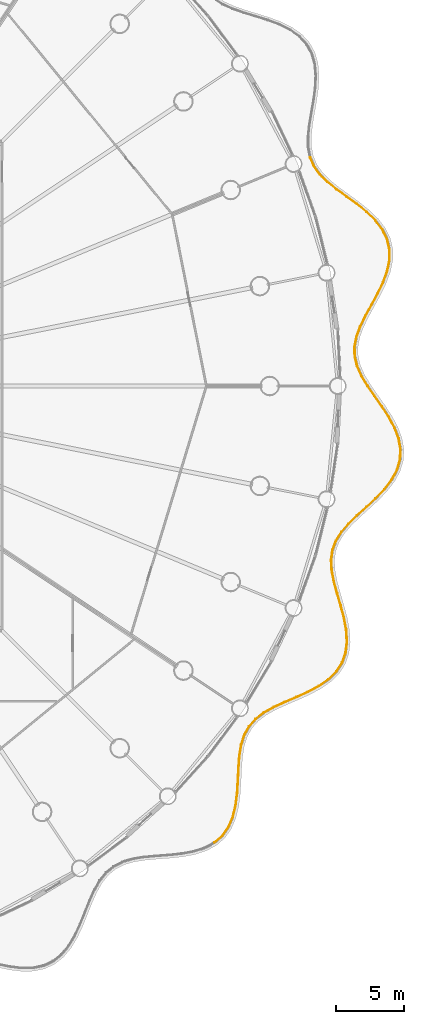
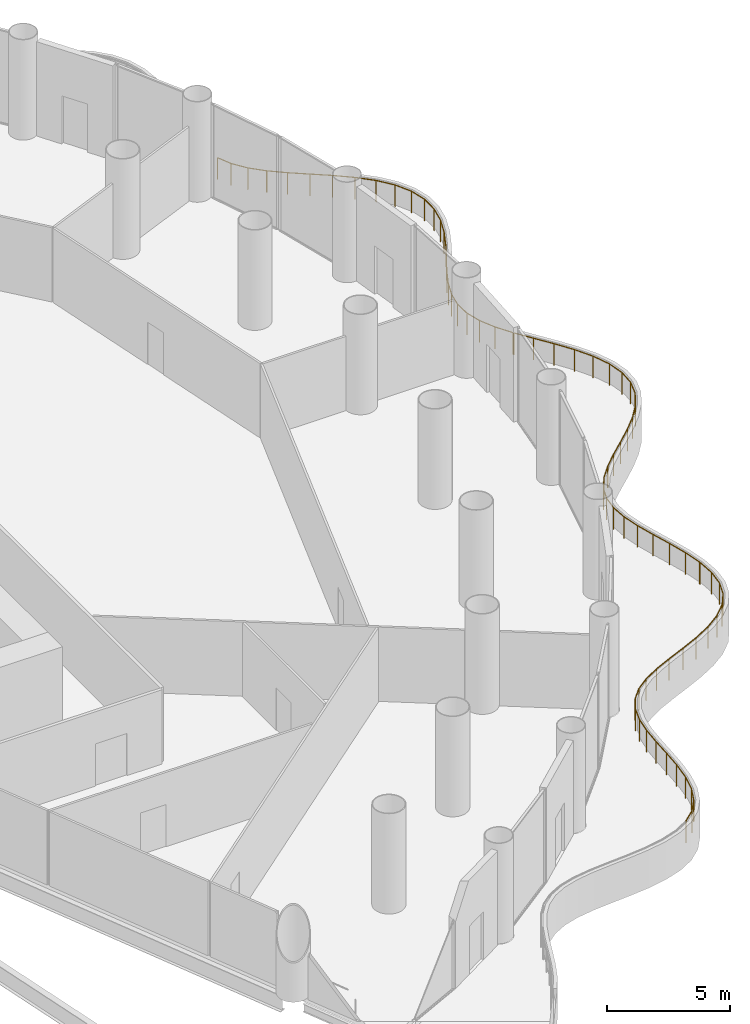
# One storey, part 34 of 36: 3 railings.
"""IFC4 building model written with IfcOpenShell, lengths in metres."""

from ifc_helpers import new_model, si_unit, direction, frame, origin, origin_2d, place, context, subcontext, project, spatial, circle, extrude, material, type_object, element, save


model = new_model("IFC4")

# Units and contexts
model_context = context("Model", 3, precision=1e-05, world=origin(), true_north=direction((0.0, 1.0)))
body_context = subcontext(model_context, "Body", "Model", "MODEL_VIEW")
ifc_project = project(units=[si_unit("LENGTHUNIT", "METRE"), si_unit("AREAUNIT", "SQUARE_METRE"), si_unit("VOLUMEUNIT", "CUBIC_METRE"), si_unit("PLANEANGLEUNIT", "RADIAN"), si_unit("MASSUNIT", "GRAM", prefix="KILO")], contexts=[model_context])

# Site, building, storey
site_placement = place(None, origin())
site = spatial("IfcSite", under=ifc_project, at=site_placement, CompositionType="ELEMENT")
building_placement = place(site_placement, origin())
building = spatial("IfcBuilding", under=site, at=building_placement, Name="Corvane Civic Tower", CompositionType="ELEMENT")
storey_placement = place(building_placement, frame((0.0, 0.0, 17.0)))
storey = spatial("IfcBuildingStorey", under=building, at=storey_placement, Name="L03", CompositionType="ELEMENT", Elevation=17.0)

# Railings
ifc_material = material(Name="Steel ASTM A572 Gr 50", Category="steel")
railing_type = type_object("IfcRailingType", Name="PODIUM-RL-GUARD-1100", PredefinedType="GUARDRAIL", material=ifc_material)
railing_1_placement = place(storey_placement, frame((33.640869140625, -33.605712890625, 0.0)))
element("IfcRailing", 1, at=railing_1_placement, inside=storey, type_object=railing_type, Name="L03 ribbon guard 11", PredefinedType="GUARDRAIL", context=body_context, shape_type="SweptSolid", body=[
    extrude(circle(Radius=0.02392578125, at=origin_2d()), frame((0.0, 0.0, 1.076171875), z_axis=(0.753136596258, 0.657864170917, 0.0), x_axis=(-0.657864170917, 0.753136596258, 0.0)), (0.0, 0.0, 1.0), 0.755859375),
    extrude(circle(Radius=0.02392578125, at=origin_2d()), frame((0.5693359375, 0.497314453125, 1.076171875), z_axis=(0.578060431514, 0.81599395679, 0.0), x_axis=(-0.81599395679, 0.578060431514, 0.0)), (0.0, 0.0, 1.0), 0.785888671875),
    extrude(circle(Radius=0.02392578125, at=origin_2d()), frame((1.023681640625, 1.138671875, 1.076171875), z_axis=(0.392843922588, 0.919605161189, 0.0), x_axis=(-0.919605161189, 0.392843922588, 0.0)), (0.0, 0.0, 1.0), 0.822265625),
    extrude(circle(Radius=0.02392578125, at=origin_2d()), frame((1.3466796875, 1.894775390625, 1.076171875), z_axis=(0.236401609899, 0.971655432155, 0.0), x_axis=(-0.971655432155, 0.236401609899, 0.0)), (0.0, 0.0, 1.0), 0.87158203125),
    extrude(circle(Radius=0.02392578125, at=origin_2d()), frame((1.552734375, 2.74169921875, 1.076171875), z_axis=(0.125480400007, 0.99209609878, 0.0), x_axis=(-0.99209609878, 0.125480400007, 0.0)), (0.0, 0.0, 1.0), 0.91455078125),
    extrude(circle(Radius=0.02392578125, at=origin_2d()), frame((1.66748046875, 3.64892578125, 1.076171875), z_axis=(0.061662540567, 0.998097054945, 0.0), x_axis=(-0.998097054945, 0.061662540567, 0.0)), (0.0, 0.0, 1.0), 0.934326171875),
    extrude(circle(Radius=0.02392578125, at=origin_2d()), frame((1.72509765625, 4.58154296875, 1.076171875), z_axis=(0.044928131662, 0.998990221667, 0.0), x_axis=(-0.998990221667, 0.044928131662, 0.0)), (0.0, 0.0, 1.0), 0.923828125),
    extrude(circle(Radius=0.02392578125, at=origin_2d()), frame((1.7666015625, 5.50439453125, 1.076171875), z_axis=(0.07542872719, 0.997151195714, 0.0), x_axis=(-0.997151195714, 0.07542872719, 0.0)), (0.0, 0.0, 1.0), 0.883544921875),
    extrude(circle(Radius=0.02392578125, at=origin_2d()), frame((1.833251953125, 6.385498046875, 1.076171875), z_axis=(0.160359970746, 0.987058599974, 0.0), x_axis=(-0.987058599974, 0.160359970746, 0.0)), (0.0, 0.0, 1.0), 0.82373046875),
    extrude(circle(Radius=0.02392578125, at=origin_2d()), frame((1.96533203125, 7.198486328125, 1.076171875), z_axis=(0.30178990041, 0.953374457394, 0.0), x_axis=(-0.953374457394, 0.30178990041, 0.0)), (0.0, 0.0, 1.0), 0.762939453125),
    extrude(circle(Radius=0.02392578125, at=origin_2d()), frame((2.195556640625, 7.92578125, 1.076171875), z_axis=(0.485328341543, 0.874331974078, 0.0), x_axis=(-0.874331974078, 0.485328341543, 0.0)), (0.0, 0.0, 1.0), 0.724853515625),
    extrude(circle(Radius=0.02392578125, at=origin_2d()), frame((2.54736328125, 8.5595703125, 1.076171875), z_axis=(0.66584226346, 0.746092541305, 0.0), x_axis=(-0.746092541305, 0.66584226346, 0.0)), (0.0, 0.0, 1.0), 0.72705078125),
    extrude(circle(Radius=0.02392578125, at=origin_2d()), frame((3.031494140625, 9.10205078125, 1.076171875), z_axis=(0.79812863736, 0.602487077227, 0.0), x_axis=(-0.602487077227, 0.79812863736, 0.0)), (0.0, 0.0, 1.0), 0.768798828125),
    extrude(circle(Radius=0.02392578125, at=origin_2d()), frame((3.64501953125, 9.565185546875, 1.076171875), z_axis=(0.874115666585, 0.485717820787, 0.0), x_axis=(-0.485717820787, 0.874115666585, 0.0)), (0.0, 0.0, 1.0), 0.830322265625),
    extrude(circle(Radius=0.02392578125, at=origin_2d()), frame((4.370849609375, 9.968505859375, 1.076171875), z_axis=(0.909688003863, 0.41529234959, 0.0), x_axis=(-0.41529234959, 0.909688003863, 0.0)), (0.0, 0.0, 1.0), 0.888916015625),
    extrude(circle(Radius=0.02392578125, at=origin_2d()), frame((5.179443359375, 10.337646484375, 1.076171875), z_axis=(0.920015181369, 0.391882719764, 0.0), x_axis=(-0.391882719764, 0.920015181369, 0.0)), (0.0, 0.0, 1.0), 0.926513671875),
    extrude(circle(Radius=0.02392578125, at=origin_2d()), frame((6.03173828125, 10.70068359375, 1.076171875), z_axis=(0.911161682007, 0.412049013155, 0.0), x_axis=(-0.412049013155, 0.911161682007, 0.0)), (0.0, 0.0, 1.0), 0.933837890625),
    extrude(circle(Radius=0.02392578125, at=origin_2d()), frame((6.882568359375, 11.08544921875, 1.076171875), z_axis=(0.88067761825, 0.473716088721, 0.0), x_axis=(-0.473716088721, 0.88067761825, 0.0)), (0.0, 0.0, 1.0), 0.91064453125),
    extrude(circle(Radius=0.02392578125, at=origin_2d()), frame((7.6845703125, 11.516845703125, 1.076171875), z_axis=(0.818635721865, 0.574313115718, 0.0), x_axis=(-0.574313115718, 0.818635721865, 0.0)), (0.0, 0.0, 1.0), 0.866455078125),
    extrude(circle(Radius=0.02392578125, at=origin_2d()), frame((8.393798828125, 12.014404296875, 1.076171875), z_axis=(0.709343264461, 0.704863201738, 0.0), x_axis=(-0.704863201738, 0.709343264461, 0.0)), (0.0, 0.0, 1.0), 0.8173828125),
    extrude(circle(Radius=0.02392578125, at=origin_2d()), frame((8.9736328125, 12.590576171875, 1.076171875), z_axis=(0.541119467015, 0.840945730959, 0.0), x_axis=(-0.840945730959, 0.541119467015, 0.0)), (0.0, 0.0, 1.0), 0.7841796875),
    extrude(circle(Radius=0.02392578125, at=origin_2d()), frame((9.39794921875, 13.25, 1.076171875), z_axis=(0.328375339933, 0.944547318097, 0.0), x_axis=(-0.944547318097, 0.328375339933, 0.0)), (0.0, 0.0, 1.0), 0.7822265625),
    extrude(circle(Radius=0.02392578125, at=origin_2d()), frame((9.65478515625, 13.98876953125, 1.076171875), z_axis=(0.114156592688, 0.993462768475, 0.0), x_axis=(-0.993462768475, 0.114156592688, 0.0)), (0.0, 0.0, 1.0), 0.812744140625),
    extrude(circle(Radius=0.02392578125, at=origin_2d()), frame((9.74755859375, 14.796142578125, 1.076171875), z_axis=(-0.061887576155, 0.998083126757, 0.0), x_axis=(-0.998083126757, -0.061887576155, 0.0)), (0.0, 0.0, 1.0), 0.83642578125),
    extrude(circle(Radius=0.02099609375, at=origin_2d()), origin(), (0.0, 0.0, 1.0), 1.052001953125),
    extrude(circle(Radius=0.02099609375, at=origin_2d()), frame((0.5693359375, 0.497314453125, 0.0)), (0.0, 0.0, 1.0), 1.052001953125),
    extrude(circle(Radius=0.02099609375, at=origin_2d()), frame((1.023681640625, 1.138671875, 0.0)), (0.0, 0.0, 1.0), 1.052001953125),
    extrude(circle(Radius=0.02099609375, at=origin_2d()), frame((1.3466796875, 1.894775390625, 0.0)), (0.0, 0.0, 1.0), 1.052001953125),
    extrude(circle(Radius=0.02099609375, at=origin_2d()), frame((1.552734375, 2.74169921875, 0.0)), (0.0, 0.0, 1.0), 1.052001953125),
    extrude(circle(Radius=0.02099609375, at=origin_2d()), frame((1.66748046875, 3.64892578125, 0.0)), (0.0, 0.0, 1.0), 1.052001953125),
    extrude(circle(Radius=0.02099609375, at=origin_2d()), frame((1.72509765625, 4.58154296875, 0.0)), (0.0, 0.0, 1.0), 1.052001953125),
    extrude(circle(Radius=0.02099609375, at=origin_2d()), frame((1.7666015625, 5.50439453125, 0.0)), (0.0, 0.0, 1.0), 1.052001953125),
    extrude(circle(Radius=0.02099609375, at=origin_2d()), frame((1.833251953125, 6.385498046875, 0.0)), (0.0, 0.0, 1.0), 1.052001953125),
    extrude(circle(Radius=0.02099609375, at=origin_2d()), frame((1.96533203125, 7.198486328125, 0.0)), (0.0, 0.0, 1.0), 1.052001953125),
    extrude(circle(Radius=0.02099609375, at=origin_2d()), frame((2.195556640625, 7.92578125, 0.0)), (0.0, 0.0, 1.0), 1.052001953125),
    extrude(circle(Radius=0.02099609375, at=origin_2d()), frame((2.54736328125, 8.5595703125, 0.0)), (0.0, 0.0, 1.0), 1.052001953125),
    extrude(circle(Radius=0.02099609375, at=origin_2d()), frame((3.031494140625, 9.10205078125, 0.0)), (0.0, 0.0, 1.0), 1.052001953125),
    extrude(circle(Radius=0.02099609375, at=origin_2d()), frame((3.64501953125, 9.565185546875, 0.0)), (0.0, 0.0, 1.0), 1.052001953125),
    extrude(circle(Radius=0.02099609375, at=origin_2d()), frame((4.370849609375, 9.968505859375, 0.0)), (0.0, 0.0, 1.0), 1.052001953125),
    extrude(circle(Radius=0.02099609375, at=origin_2d()), frame((5.179443359375, 10.337646484375, 0.0)), (0.0, 0.0, 1.0), 1.052001953125),
    extrude(circle(Radius=0.02099609375, at=origin_2d()), frame((6.03173828125, 10.70068359375, 0.0)), (0.0, 0.0, 1.0), 1.052001953125),
    extrude(circle(Radius=0.02099609375, at=origin_2d()), frame((6.882568359375, 11.08544921875, 0.0)), (0.0, 0.0, 1.0), 1.052001953125),
    extrude(circle(Radius=0.02099609375, at=origin_2d()), frame((7.6845703125, 11.516845703125, 0.0)), (0.0, 0.0, 1.0), 1.052001953125),
    extrude(circle(Radius=0.02099609375, at=origin_2d()), frame((8.393798828125, 12.014404296875, 0.0)), (0.0, 0.0, 1.0), 1.052001953125),
    extrude(circle(Radius=0.02099609375, at=origin_2d()), frame((8.9736328125, 12.590576171875, 0.0)), (0.0, 0.0, 1.0), 1.052001953125),
    extrude(circle(Radius=0.02099609375, at=origin_2d()), frame((9.39794921875, 13.25, 0.0)), (0.0, 0.0, 1.0), 1.052001953125),
    extrude(circle(Radius=0.02099609375, at=origin_2d()), frame((9.65478515625, 13.98876953125, 0.0)), (0.0, 0.0, 1.0), 1.052001953125),
    extrude(circle(Radius=0.02099609375, at=origin_2d()), frame((9.74755859375, 14.796142578125, 0.0)), (0.0, 0.0, 1.0), 1.052001953125),
    extrude(circle(Radius=0.02099609375, at=origin_2d()), frame((9.69580078125, 15.630859375, 0.0)), (0.0, 0.0, 1.0), 1.052001953125),
])
railing_2_placement = place(storey_placement, frame((43.33056640625, -17.92529296875, 0.0)))
element("IfcRailing", 2, at=railing_2_placement, inside=storey, type_object=railing_type, Name="L03 ribbon guard 12", PredefinedType="GUARDRAIL", context=body_context, shape_type="SweptSolid", body=[
    extrude(circle(Radius=0.02392578125, at=origin_2d()), frame((0.0, 0.0, 1.076171875), z_axis=(-0.184439018576, 0.982843959348, 0.0), x_axis=(-0.982843959348, -0.184439018576, 0.0)), (0.0, 0.0, 1.0), 0.881591796875),
    extrude(circle(Radius=0.02392578125, at=origin_2d()), frame((-0.16259765625, 0.866455078125, 1.076171875), z_axis=(-0.256245058711, 0.966611850686, 0.0), x_axis=(-0.966611850686, -0.256245058711, 0.0)), (0.0, 0.0, 1.0), 0.932861328125),
    extrude(circle(Radius=0.02392578125, at=origin_2d()), frame((-0.401611328125, 1.76806640625, 1.076171875), z_axis=(-0.282351351328, 0.959311062379, 0.0), x_axis=(-0.959311062379, -0.282351351328, 0.0)), (0.0, 0.0, 1.0), 0.9287109375),
    extrude(circle(Radius=0.02392578125, at=origin_2d()), frame((-0.663818359375, 2.658935546875, 1.076171875), z_axis=(-0.262724536639, 0.964870881439, 0.0), x_axis=(-0.964870881439, -0.262724536639, 0.0)), (0.0, 0.0, 1.0), 0.89404296875),
    extrude(circle(Radius=0.02392578125, at=origin_2d()), frame((-0.898681640625, 3.521484375, 1.076171875), z_axis=(-0.191291109817, 0.981533347016, 0.0), x_axis=(-0.981533347016, -0.191291109817, 0.0)), (0.0, 0.0, 1.0), 0.837158203125),
    extrude(circle(Radius=0.02392578125, at=origin_2d()), frame((-1.058837890625, 4.34326171875, 1.076171875), z_axis=(-0.059886009549, 0.998205222317, 0.0), x_axis=(-0.998205222317, -0.059886009549, 0.0)), (0.0, 0.0, 1.0), 0.774658203125),
    extrude(circle(Radius=0.02392578125, at=origin_2d()), frame((-1.105224609375, 5.116455078125, 1.076171875), z_axis=(0.130125684943, 0.991497506864, 0.0), x_axis=(-0.991497506864, 0.130125684943, 0.0)), (0.0, 0.0, 1.0), 0.729736328125),
    extrude(circle(Radius=0.02392578125, at=origin_2d()), frame((-1.01025390625, 5.840087890625, 1.076171875), z_axis=(0.344750673314, 0.938694291689, 0.0), x_axis=(-0.938694291689, 0.344750673314, 0.0)), (0.0, 0.0, 1.0), 0.72314453125),
    extrude(circle(Radius=0.02392578125, at=origin_2d()), frame((-0.760986328125, 6.518798828125, 1.076171875), z_axis=(0.528317378365, 0.849046964377, 0.0), x_axis=(-0.849046964377, 0.528317378365, 0.0)), (0.0, 0.0, 1.0), 0.75732421875),
    extrude(circle(Radius=0.02392578125, at=origin_2d()), frame((-0.36083984375, 7.161865234375, 1.076171875), z_axis=(0.650619072476, 0.759404255012, 0.0), x_axis=(-0.759404255012, 0.650619072476, 0.0)), (0.0, 0.0, 1.0), 0.81689453125),
    extrude(circle(Radius=0.02392578125, at=origin_2d()), frame((0.170654296875, 7.7822265625, 1.076171875), z_axis=(0.717184070385, 0.696883784562, 0.0), x_axis=(-0.696883784562, 0.717184070385, 0.0)), (0.0, 0.0, 1.0), 0.8779296875),
    extrude(circle(Radius=0.02392578125, at=origin_2d()), frame((0.80029296875, 8.39404296875, 1.076171875), z_axis=(0.742119659929, 0.670267417042, 0.0), x_axis=(-0.670267417042, 0.742119659929, 0.0)), (0.0, 0.0, 1.0), 0.9208984375),
    extrude(circle(Radius=0.02392578125, at=origin_2d()), frame((1.483642578125, 9.01123046875, 1.076171875), z_axis=(0.733871572255, 0.679288241792, 0.0), x_axis=(-0.679288241792, 0.733871572255, 0.0)), (0.0, 0.0, 1.0), 0.934814453125),
    extrude(circle(Radius=0.02392578125, at=origin_2d()), frame((2.169677734375, 9.646240234375, 1.076171875), z_axis=(0.69273115496, 0.7211959144, 0.0), x_axis=(-0.7211959144, 0.69273115496, 0.0)), (0.0, 0.0, 1.0), 0.917724609375),
    extrude(circle(Radius=0.02392578125, at=origin_2d()), frame((2.805419921875, 10.30810546875, 1.076171875), z_axis=(0.611122571136, 0.791535977103, 0.0), x_axis=(-0.791535977103, 0.611122571136, 0.0)), (0.0, 0.0, 1.0), 0.876953125),
    extrude(circle(Radius=0.02392578125, at=origin_2d()), frame((3.34130859375, 11.002197265625, 1.076171875), z_axis=(0.477652034744, 0.878549107168, 0.0), x_axis=(-0.878549107168, 0.477652034744, 0.0)), (0.0, 0.0, 1.0), 0.826904296875),
    extrude(circle(Radius=0.02392578125, at=origin_2d()), frame((3.736328125, 11.728759765625, 1.076171875), z_axis=(0.285331434771, 0.958428908335, 0.0), x_axis=(-0.958428908335, 0.285331434771, 0.0)), (0.0, 0.0, 1.0), 0.788818359375),
    extrude(circle(Radius=0.02392578125, at=origin_2d()), frame((3.96142578125, 12.48486328125, 1.076171875), z_axis=(0.053857123903, 0.998548651897, 0.0), x_axis=(-0.998548651897, 0.053857123903, 0.0)), (0.0, 0.0, 1.0), 0.77978515625),
    extrude(circle(Radius=0.02392578125, at=origin_2d()), frame((4.00341796875, 13.263427734375, 1.076171875), z_axis=(-0.17217408361, 0.985066538328, 0.0), x_axis=(-0.985066538328, -0.17217408361, 0.0)), (0.0, 0.0, 1.0), 0.803955078125),
    extrude(circle(Radius=0.02392578125, at=origin_2d()), frame((3.864990234375, 14.055419921875, 1.076171875), z_axis=(-0.351909725768, 0.936033944315, 0.0), x_axis=(-0.936033944315, -0.351909725768, 0.0)), (0.0, 0.0, 1.0), 0.8505859375),
    extrude(circle(Radius=0.02392578125, at=origin_2d()), frame((3.565673828125, 14.8515625, 1.076171875), z_axis=(-0.47450492985, 0.880252845237, 0.0), x_axis=(-0.880252845237, -0.47450492985, 0.0)), (0.0, 0.0, 1.0), 0.8984375),
    extrude(circle(Radius=0.02392578125, at=origin_2d()), frame((3.139404296875, 15.642333984375, 1.076171875), z_axis=(-0.546612268457, 0.837385829813, 0.0), x_axis=(-0.837385829813, -0.546612268457, 0.0)), (0.0, 0.0, 1.0), 0.929443359375),
    extrude(circle(Radius=0.02392578125, at=origin_2d()), frame((2.63134765625, 16.420654296875, 1.076171875), z_axis=(-0.57721775227, 0.816590268411, 0.0), x_axis=(-0.816590268411, -0.57721775227, 0.0)), (0.0, 0.0, 1.0), 0.93212890625),
    extrude(circle(Radius=0.02392578125, at=origin_2d()), frame((2.09326171875, 17.181884765625, 1.076171875), z_axis=(-0.568660915, 0.822572041678, 0.0), x_axis=(-0.822572041678, -0.568660915, 0.0)), (0.0, 0.0, 1.0), 0.87890625),
    extrude(circle(Radius=0.02099609375, at=origin_2d()), origin(), (0.0, 0.0, 1.0), 1.052001953125),
    extrude(circle(Radius=0.02099609375, at=origin_2d()), frame((-0.16259765625, 0.866455078125, 0.0)), (0.0, 0.0, 1.0), 1.052001953125),
    extrude(circle(Radius=0.02099609375, at=origin_2d()), frame((-0.401611328125, 1.76806640625, 0.0)), (0.0, 0.0, 1.0), 1.052001953125),
    extrude(circle(Radius=0.02099609375, at=origin_2d()), frame((-0.663818359375, 2.658935546875, 0.0)), (0.0, 0.0, 1.0), 1.052001953125),
    extrude(circle(Radius=0.02099609375, at=origin_2d()), frame((-0.898681640625, 3.521484375, 0.0)), (0.0, 0.0, 1.0), 1.052001953125),
    extrude(circle(Radius=0.02099609375, at=origin_2d()), frame((-1.058837890625, 4.34326171875, 0.0)), (0.0, 0.0, 1.0), 1.052001953125),
    extrude(circle(Radius=0.02099609375, at=origin_2d()), frame((-1.105224609375, 5.116455078125, 0.0)), (0.0, 0.0, 1.0), 1.052001953125),
    extrude(circle(Radius=0.02099609375, at=origin_2d()), frame((-1.01025390625, 5.840087890625, 0.0)), (0.0, 0.0, 1.0), 1.052001953125),
    extrude(circle(Radius=0.02099609375, at=origin_2d()), frame((-0.760986328125, 6.518798828125, 0.0)), (0.0, 0.0, 1.0), 1.052001953125),
    extrude(circle(Radius=0.02099609375, at=origin_2d()), frame((-0.36083984375, 7.161865234375, 0.0)), (0.0, 0.0, 1.0), 1.052001953125),
    extrude(circle(Radius=0.02099609375, at=origin_2d()), frame((0.170654296875, 7.7822265625, 0.0)), (0.0, 0.0, 1.0), 1.052001953125),
    extrude(circle(Radius=0.02099609375, at=origin_2d()), frame((0.80029296875, 8.39404296875, 0.0)), (0.0, 0.0, 1.0), 1.052001953125),
    extrude(circle(Radius=0.02099609375, at=origin_2d()), frame((1.483642578125, 9.01123046875, 0.0)), (0.0, 0.0, 1.0), 1.052001953125),
    extrude(circle(Radius=0.02099609375, at=origin_2d()), frame((2.169677734375, 9.646240234375, 0.0)), (0.0, 0.0, 1.0), 1.052001953125),
    extrude(circle(Radius=0.02099609375, at=origin_2d()), frame((2.805419921875, 10.30810546875, 0.0)), (0.0, 0.0, 1.0), 1.052001953125),
    extrude(circle(Radius=0.02099609375, at=origin_2d()), frame((3.34130859375, 11.002197265625, 0.0)), (0.0, 0.0, 1.0), 1.052001953125),
    extrude(circle(Radius=0.02099609375, at=origin_2d()), frame((3.736328125, 11.728759765625, 0.0)), (0.0, 0.0, 1.0), 1.052001953125),
    extrude(circle(Radius=0.02099609375, at=origin_2d()), frame((3.96142578125, 12.48486328125, 0.0)), (0.0, 0.0, 1.0), 1.052001953125),
    extrude(circle(Radius=0.02099609375, at=origin_2d()), frame((4.00341796875, 13.263427734375, 0.0)), (0.0, 0.0, 1.0), 1.052001953125),
    extrude(circle(Radius=0.02099609375, at=origin_2d()), frame((3.864990234375, 14.055419921875, 0.0)), (0.0, 0.0, 1.0), 1.052001953125),
    extrude(circle(Radius=0.02099609375, at=origin_2d()), frame((3.565673828125, 14.8515625, 0.0)), (0.0, 0.0, 1.0), 1.052001953125),
    extrude(circle(Radius=0.02099609375, at=origin_2d()), frame((3.139404296875, 15.642333984375, 0.0)), (0.0, 0.0, 1.0), 1.052001953125),
    extrude(circle(Radius=0.02099609375, at=origin_2d()), frame((2.63134765625, 16.420654296875, 0.0)), (0.0, 0.0, 1.0), 1.052001953125),
    extrude(circle(Radius=0.02099609375, at=origin_2d()), frame((2.09326171875, 17.181884765625, 0.0)), (0.0, 0.0, 1.0), 1.052001953125),
    extrude(circle(Radius=0.02099609375, at=origin_2d()), frame((1.593505859375, 17.90478515625, 0.0)), (0.0, 0.0, 1.0), 1.052001953125),
])
railing_3_placement = place(storey_placement, frame((44.89697265625, 0.021484375, 0.0)))
element("IfcRailing", 3, at=railing_3_placement, inside=storey, type_object=railing_type, Name="L03 ribbon guard 13", PredefinedType="GUARDRAIL", context=body_context, shape_type="SweptSolid", body=[
    extrude(circle(Radius=0.02392578125, at=origin_2d()), frame((0.0, 0.0, 1.076171875), z_axis=(-0.517147247165, 0.855896445108, 0.0), x_axis=(-0.855896445108, -0.517147247165, 0.0)), (0.0, 0.0, 1.0), 0.8251953125),
    extrude(circle(Radius=0.02392578125, at=origin_2d()), frame((-0.4267578125, 0.706298828125, 1.076171875), z_axis=(-0.410996558744, 0.911636895206, 0.0), x_axis=(-0.911636895206, -0.410996558744, 0.0)), (0.0, 0.0, 1.0), 0.787109375),
    extrude(circle(Radius=0.02392578125, at=origin_2d()), frame((-0.750244140625, 1.423828125, 1.076171875), z_axis=(-0.241599759092, 0.970375987134, 0.0), x_axis=(-0.970375987134, -0.241599759092, 0.0)), (0.0, 0.0, 1.0), 0.736572265625),
    extrude(circle(Radius=0.02392578125, at=origin_2d()), frame((-0.92822265625, 2.138671875, 1.076171875), z_axis=(-0.025745445057, 0.999668531094, 0.0), x_axis=(-0.999668531094, -0.025745445057, 0.0)), (0.0, 0.0, 1.0), 0.720703125),
    extrude(circle(Radius=0.02392578125, at=origin_2d()), frame((-0.94677734375, 2.859130859375, 1.076171875), z_axis=(0.185235244446, 0.982694206869, 0.0), x_axis=(-0.982694206869, 0.185235244446, 0.0)), (0.0, 0.0, 1.0), 0.747314453125),
    extrude(circle(Radius=0.02392578125, at=origin_2d()), frame((-0.808349609375, 3.593505859375, 1.076171875), z_axis=(0.343888648541, 0.939010435195, 0.0), x_axis=(-0.939010435195, 0.343888648541, 0.0)), (0.0, 0.0, 1.0), 0.8037109375),
    extrude(circle(Radius=0.02392578125, at=origin_2d()), frame((-0.531982421875, 4.34814453125, 1.076171875), z_axis=(0.439301158642, 0.898339853294, 0.0), x_axis=(-0.898339853294, 0.439301158642, 0.0)), (0.0, 0.0, 1.0), 0.865966796875),
    extrude(circle(Radius=0.02392578125, at=origin_2d()), frame((-0.151611328125, 5.1259765625, 1.076171875), z_axis=(0.48107769897, 0.876677961143, 0.0), x_axis=(-0.876677961143, 0.48107769897, 0.0)), (0.0, 0.0, 1.0), 0.9140625),
    extrude(circle(Radius=0.02392578125, at=origin_2d()), frame((0.2880859375, 5.92724609375, 1.076171875), z_axis=(0.47910835533, 0.877755765491, 0.0), x_axis=(-0.877755765491, 0.47910835533, 0.0)), (0.0, 0.0, 1.0), 0.9345703125),
    extrude(circle(Radius=0.02392578125, at=origin_2d()), frame((0.73583984375, 6.74755859375, 1.076171875), z_axis=(0.435864894401, 0.900012107601, 0.0), x_axis=(-0.900012107601, 0.435864894401, 0.0)), (0.0, 0.0, 1.0), 0.923583984375),
    extrude(circle(Radius=0.02392578125, at=origin_2d()), frame((1.138427734375, 7.578857421875, 1.076171875), z_axis=(0.346292090421, 0.938126744162, 0.0), x_axis=(-0.938126744162, 0.346292090421, 0.0)), (0.0, 0.0, 1.0), 0.886962890625),
    extrude(circle(Radius=0.02392578125, at=origin_2d()), frame((1.445556640625, 8.410888671875, 1.076171875), z_axis=(0.203849440794, 0.979002249991, 0.0), x_axis=(-0.979002249991, 0.203849440794, 0.0)), (0.0, 0.0, 1.0), 0.837158203125),
    extrude(circle(Radius=0.02392578125, at=origin_2d()), frame((1.6162109375, 9.23046875, 1.076171875), z_axis=(0.005835281486, 0.9999829746, 0.0), x_axis=(-0.9999829746, 0.005835281486, 0.0)), (0.0, 0.0, 1.0), 0.794921875),
    extrude(circle(Radius=0.02392578125, at=origin_2d()), frame((1.620849609375, 10.025390625, 1.076171875), z_axis=(-0.22479081448, 0.974407045195, 0.0), x_axis=(-0.974407045195, -0.22479081448, 0.0)), (0.0, 0.0, 1.0), 0.77880859375),
    extrude(circle(Radius=0.02392578125, at=origin_2d()), frame((1.44580078125, 10.7841796875, 1.076171875), z_axis=(-0.442549118131, 0.896744265686, 0.0), x_axis=(-0.896744265686, -0.442549118131, 0.0)), (0.0, 0.0, 1.0), 0.796630859375),
    extrude(circle(Radius=0.02392578125, at=origin_2d()), frame((1.09326171875, 11.49853515625, 1.076171875), z_axis=(-0.609261138416, 0.792969649618, 0.0), x_axis=(-0.792969649618, -0.609261138416, 0.0)), (0.0, 0.0, 1.0), 0.83984375),
    extrude(circle(Radius=0.02392578125, at=origin_2d()), frame((0.58154296875, 12.16455078125, 1.076171875), z_axis=(-0.718274525848, 0.695759804472, 0.0), x_axis=(-0.695759804472, -0.718274525848, 0.0)), (0.0, 0.0, 1.0), 0.88916015625),
    extrude(circle(Radius=0.02392578125, at=origin_2d()), frame((-0.05712890625, 12.783203125, 1.076171875), z_axis=(-0.780430885858, 0.625242059045, 0.0), x_axis=(-0.625242059045, -0.780430885858, 0.0)), (0.0, 0.0, 1.0), 0.925048828125),
    extrude(circle(Radius=0.02392578125, at=origin_2d()), frame((-0.779052734375, 13.361572265625, 1.076171875), z_axis=(-0.808634355419, 0.588311549466, 0.0), x_axis=(-0.588311549466, -0.808634355419, 0.0)), (0.0, 0.0, 1.0), 0.93408203125),
    extrude(circle(Radius=0.02392578125, at=origin_2d()), frame((-1.534423828125, 13.9111328125, 1.076171875), z_axis=(-0.808620320993, 0.588330839305, 0.0), x_axis=(-0.588330839305, -0.808620320993, 0.0)), (0.0, 0.0, 1.0), 0.912109375),
    extrude(circle(Radius=0.02392578125, at=origin_2d()), frame((-2.27197265625, 14.44775390625, 1.076171875), z_axis=(-0.778100739541, 0.628139506102, 0.0), x_axis=(-0.628139506102, -0.778100739541, 0.0)), (0.0, 0.0, 1.0), 0.86279296875),
    extrude(circle(Radius=0.02392578125, at=origin_2d()), frame((-2.943359375, 14.98974609375, 1.076171875), z_axis=(-0.706648958876, 0.707564307268, 0.0), x_axis=(-0.707564307268, -0.706648958876, 0.0)), (0.0, 0.0, 1.0), 0.800048828125),
    extrude(circle(Radius=0.02392578125, at=origin_2d()), frame((-3.5087890625, 15.555908203125, 1.076171875), z_axis=(-0.578662648037, 0.815567005075, 0.0), x_axis=(-0.815567005075, -0.578662648037, 0.0)), (0.0, 0.0, 1.0), 0.7451171875),
    extrude(circle(Radius=0.02392578125, at=origin_2d()), frame((-3.93994140625, 16.16357421875, 1.076171875), z_axis=(-0.392648450262, 0.919688639979, 0.0), x_axis=(-0.919688639979, -0.392648450262, 0.0)), (0.0, 0.0, 1.0), 0.69580078125),
    extrude(circle(Radius=0.02099609375, at=origin_2d()), origin(), (0.0, 0.0, 1.0), 1.052001953125),
    extrude(circle(Radius=0.02099609375, at=origin_2d()), frame((-0.4267578125, 0.706298828125, 0.0)), (0.0, 0.0, 1.0), 1.052001953125),
    extrude(circle(Radius=0.02099609375, at=origin_2d()), frame((-0.750244140625, 1.423828125, 0.0)), (0.0, 0.0, 1.0), 1.052001953125),
    extrude(circle(Radius=0.02099609375, at=origin_2d()), frame((-0.92822265625, 2.138671875, 0.0)), (0.0, 0.0, 1.0), 1.052001953125),
    extrude(circle(Radius=0.02099609375, at=origin_2d()), frame((-0.94677734375, 2.859130859375, 0.0)), (0.0, 0.0, 1.0), 1.052001953125),
    extrude(circle(Radius=0.02099609375, at=origin_2d()), frame((-0.808349609375, 3.593505859375, 0.0)), (0.0, 0.0, 1.0), 1.052001953125),
    extrude(circle(Radius=0.02099609375, at=origin_2d()), frame((-0.531982421875, 4.34814453125, 0.0)), (0.0, 0.0, 1.0), 1.052001953125),
    extrude(circle(Radius=0.02099609375, at=origin_2d()), frame((-0.151611328125, 5.1259765625, 0.0)), (0.0, 0.0, 1.0), 1.052001953125),
    extrude(circle(Radius=0.02099609375, at=origin_2d()), frame((0.2880859375, 5.92724609375, 0.0)), (0.0, 0.0, 1.0), 1.052001953125),
    extrude(circle(Radius=0.02099609375, at=origin_2d()), frame((0.73583984375, 6.74755859375, 0.0)), (0.0, 0.0, 1.0), 1.052001953125),
    extrude(circle(Radius=0.02099609375, at=origin_2d()), frame((1.138427734375, 7.578857421875, 0.0)), (0.0, 0.0, 1.0), 1.052001953125),
    extrude(circle(Radius=0.02099609375, at=origin_2d()), frame((1.445556640625, 8.410888671875, 0.0)), (0.0, 0.0, 1.0), 1.052001953125),
    extrude(circle(Radius=0.02099609375, at=origin_2d()), frame((1.6162109375, 9.23046875, 0.0)), (0.0, 0.0, 1.0), 1.052001953125),
    extrude(circle(Radius=0.02099609375, at=origin_2d()), frame((1.620849609375, 10.025390625, 0.0)), (0.0, 0.0, 1.0), 1.052001953125),
    extrude(circle(Radius=0.02099609375, at=origin_2d()), frame((1.44580078125, 10.7841796875, 0.0)), (0.0, 0.0, 1.0), 1.052001953125),
    extrude(circle(Radius=0.02099609375, at=origin_2d()), frame((1.09326171875, 11.49853515625, 0.0)), (0.0, 0.0, 1.0), 1.052001953125),
    extrude(circle(Radius=0.02099609375, at=origin_2d()), frame((0.58154296875, 12.16455078125, 0.0)), (0.0, 0.0, 1.0), 1.052001953125),
    extrude(circle(Radius=0.02099609375, at=origin_2d()), frame((-0.05712890625, 12.783203125, 0.0)), (0.0, 0.0, 1.0), 1.052001953125),
    extrude(circle(Radius=0.02099609375, at=origin_2d()), frame((-0.779052734375, 13.361572265625, 0.0)), (0.0, 0.0, 1.0), 1.052001953125),
    extrude(circle(Radius=0.02099609375, at=origin_2d()), frame((-1.534423828125, 13.9111328125, 0.0)), (0.0, 0.0, 1.0), 1.052001953125),
    extrude(circle(Radius=0.02099609375, at=origin_2d()), frame((-2.27197265625, 14.44775390625, 0.0)), (0.0, 0.0, 1.0), 1.052001953125),
    extrude(circle(Radius=0.02099609375, at=origin_2d()), frame((-2.943359375, 14.98974609375, 0.0)), (0.0, 0.0, 1.0), 1.052001953125),
    extrude(circle(Radius=0.02099609375, at=origin_2d()), frame((-3.5087890625, 15.555908203125, 0.0)), (0.0, 0.0, 1.0), 1.052001953125),
    extrude(circle(Radius=0.02099609375, at=origin_2d()), frame((-3.93994140625, 16.16357421875, 0.0)), (0.0, 0.0, 1.0), 1.052001953125),
    extrude(circle(Radius=0.02099609375, at=origin_2d()), frame((-4.213134765625, 16.803466796875, 0.0)), (0.0, 0.0, 1.0), 1.052001953125),
])

save(model, "model.ifc")
